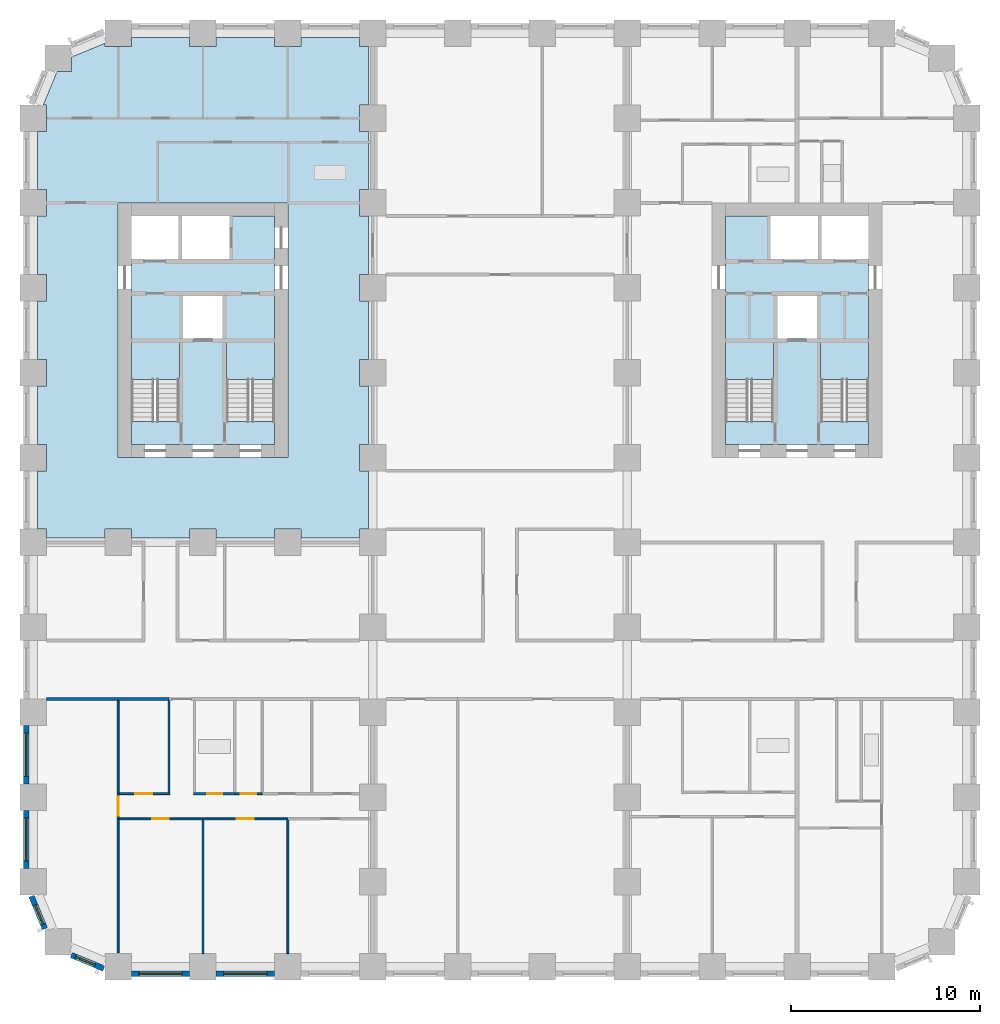
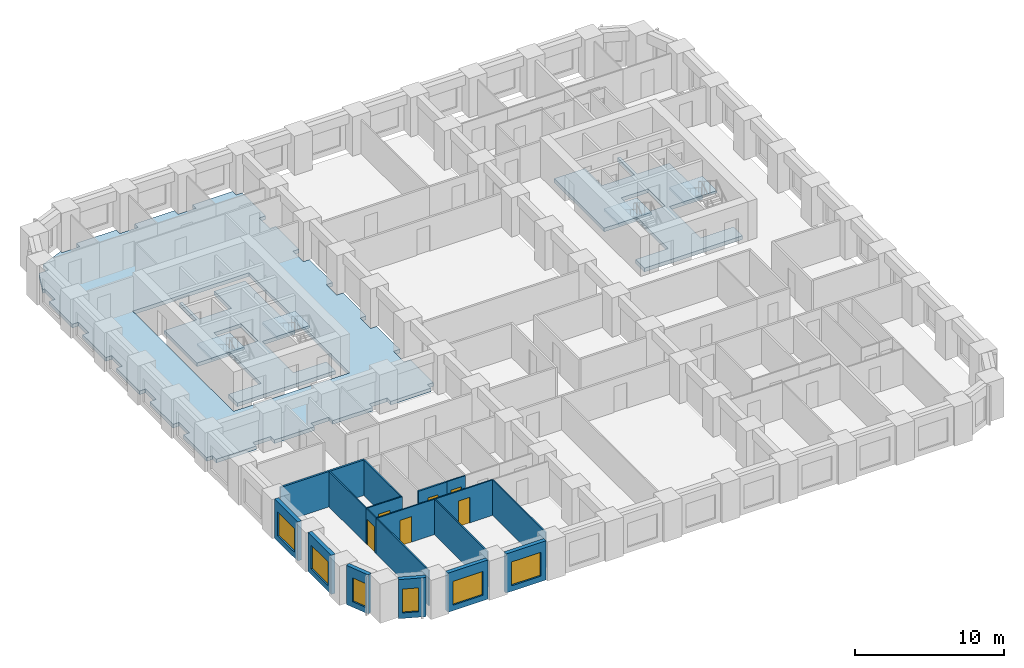
# One storey, part 2 of 12: 18 walls, 7 slabs, 6 doors, 6 windows, 12 openings, 4 elements without a shape of their own.
"""IFC4 building model written with IfcOpenShell, lengths in metres."""

from ifc_helpers import new_model, si_unit, direction, frame, frame_2d, origin, place, context, subcontext, project, spatial, polyline, rectangle, outline, extrude, material, layer, layer_set, type_object, element, fill, aggregate, save


model = new_model("IFC4")

# Units and contexts
model_context = context("Model", 3, precision=1e-05, world=origin(), true_north=direction((0.0, 1.0)))
body_context = subcontext(model_context, "Body", "Model", "MODEL_VIEW")
ifc_project = project(units=[si_unit("LENGTHUNIT", "METRE"), si_unit("AREAUNIT", "SQUARE_METRE"), si_unit("VOLUMEUNIT", "CUBIC_METRE"), si_unit("PLANEANGLEUNIT", "RADIAN"), si_unit("MASSUNIT", "GRAM", prefix="KILO")], contexts=[model_context])

# Site, building, storey
site_placement = place(None, origin())
site = spatial("IfcSite", under=ifc_project, at=site_placement, CompositionType="ELEMENT")
building_placement = place(site_placement, origin())
building = spatial("IfcBuilding", under=site, at=building_placement, Name="Girih Gate Residences", CompositionType="ELEMENT")
storey_placement = place(building_placement, frame((0.0, 0.0, 62.39990234375)))
storey = spatial("IfcBuildingStorey", under=building, at=storey_placement, Name="L16", CompositionType="ELEMENT", Elevation=62.39990234375)

# Slabs
ifc_material_1 = material(Name="Concrete C40/50", Category="concrete")
ifc_layer_1 = layer(ifc_material_1, 0.300048828125)
ifc_layer_set_1 = layer_set([ifc_layer_1], Name="Core floor slab 300")
slab_type_1 = type_object("IfcSlabType", Name="Core floor slab 300", PredefinedType="FLOOR", material=ifc_layer_set_1)
slab_1_placement = place(storey_placement, frame((0.0, 0.0, -0.2998046875)))
element("IfcSlab", 1, at=slab_1_placement, inside=storey, type_object=slab_type_1, Name="L16 W core floor", PredefinedType="FLOOR", context=body_context, shape_type="SweptSolid", body=[
    extrude(outline(polyline([(12.800048828125, 27.699951171875), (5.199951171875, 27.699951171875), (5.199951171875, 28.900634765625), (7.75, 28.900634765625), (7.75, 33.10009765625), (5.199951171875, 33.10009765625), (5.199951171875, 37.5), (7.699951171875, 37.5), (7.699951171875, 39.800048828125), (7.89990234375, 39.800048828125), (7.89990234375, 37.5), (10.39990234375, 37.5), (10.39990234375, 39.800048828125), (12.800048828125, 39.800048828125), (12.800048828125, 33.10009765625), (10.25, 33.10009765625), (10.25, 28.900634765625), (12.800048828125, 28.900634765625), (12.800048828125, 27.699951171875)]), holes=[polyline([(7.949951171875, 33.300048828125), (10.050048828125, 33.300048828125), (10.050048828125, 35.60009765625), (7.949951171875, 35.60009765625), (7.949951171875, 33.300048828125)])]), origin(), (0.0, 0.0, 1.0), 0.2998046875),
])
slab_2_placement = place(storey_placement, frame((0.0, 0.0, -0.2998046875)))
element("IfcSlab", 2, at=slab_2_placement, inside=storey, type_object=slab_type_1, Name="L16 E core floor", PredefinedType="FLOOR", context=body_context, shape_type="SweptSolid", body=[
    extrude(outline(polyline([(44.300048828125, 27.699951171875), (36.699951171875, 27.699951171875), (36.699951171875, 28.900634765625), (39.25, 28.900634765625), (39.25, 33.10009765625), (36.699951171875, 33.10009765625), (36.699951171875, 39.800048828125), (39.10009765625, 39.800048828125), (39.10009765625, 37.5), (41.60009765625, 37.5), (41.60009765625, 39.800048828125), (41.800048828125, 39.800048828125), (41.800048828125, 37.5), (44.300048828125, 37.5), (44.300048828125, 33.10009765625), (41.75, 33.10009765625), (41.75, 28.900634765625), (44.300048828125, 28.900634765625), (44.300048828125, 27.699951171875)]), holes=[polyline([(39.449951171875, 33.300048828125), (41.550048828125, 33.300048828125), (41.550048828125, 35.60009765625), (39.449951171875, 35.60009765625), (39.449951171875, 33.300048828125)])]), origin(), (0.0, 0.0, 1.0), 0.2998046875),
])
ifc_layer_2 = layer(ifc_material_1, 0.300048828125)
ifc_layer_set_2 = layer_set([ifc_layer_2], Name="Floor slab PT 300 Concrete C40/50")
slab_type_2 = type_object("IfcSlabType", Name="Floor slab PT 300 Concrete C40/50", PredefinedType="FLOOR", material=ifc_layer_set_2)
slab_3_placement = place(storey_placement, frame((0.0, 0.0, -0.2998046875)))
element("IfcSlab", 3, at=slab_3_placement, inside=storey, type_object=slab_type_2, Name="Floor slab L16 3", PredefinedType="FLOOR", context=body_context, shape_type="SweptSolid", body=[
    extrude(outline(polyline([(0.22509765625, 26.300048828125), (0.22509765625, 23.199951171875), (0.699951171875, 23.199951171875), (0.699951171875, 22.72509765625), (3.800048828125, 22.72509765625), (3.800048828125, 23.199951171875), (5.199951171875, 23.199951171875), (5.199951171875, 22.72509765625), (8.300048828125, 22.72509765625), (8.300048828125, 23.199951171875), (9.699951171875, 23.199951171875), (9.699951171875, 22.72509765625), (12.800048828125, 22.72509765625), (12.800048828125, 23.199951171875), (14.199951171875, 23.199951171875), (14.199951171875, 22.72509765625), (17.300048828125, 22.72509765625), (17.300048828125, 23.199951171875), (17.77490234375, 23.199951171875), (17.77490234375, 26.300048828125), (17.300048828125, 26.300048828125), (17.300048828125, 27.699951171875), (17.77490234375, 27.699951171875), (17.77490234375, 30.800048828125), (17.300048828125, 30.800048828125), (17.300048828125, 32.199951171875), (17.77490234375, 32.199951171875), (17.77490234375, 35.300048828125), (17.300048828125, 35.300048828125), (17.300048828125, 36.699951171875), (17.77490234375, 36.699951171875), (17.77490234375, 39.800048828125), (17.300048828125, 39.800048828125), (17.300048828125, 41.199951171875), (17.77490234375, 41.199951171875), (17.77490234375, 44.300048828125), (17.300048828125, 44.300048828125), (17.300048828125, 45.699951171875), (17.77490234375, 45.699951171875), (17.77490234375, 48.800048828125), (17.300048828125, 48.800048828125), (17.300048828125, 49.27490234375), (14.199951171875, 49.27490234375), (14.199951171875, 48.800048828125), (12.800048828125, 48.800048828125), (12.800048828125, 49.27490234375), (9.699951171875, 49.27490234375), (9.699951171875, 48.800048828125), (8.300048828125, 48.800048828125), (8.300048828125, 49.27490234375), (5.199951171875, 49.27490234375), (5.199951171875, 48.800048828125), (3.800048828125, 48.800048828125), (3.800048828125, 48.966552734375), (2.01806640625, 48.228271484375), (2.01806640625, 47.48193359375), (1.271728515625, 47.48193359375), (0.533447265625, 45.699951171875), (0.699951171875, 45.699951171875), (0.699951171875, 44.300048828125), (0.22509765625, 44.300048828125), (0.22509765625, 41.199951171875), (0.699951171875, 41.199951171875), (0.699951171875, 39.800048828125), (0.22509765625, 39.800048828125), (0.22509765625, 36.699951171875), (0.699951171875, 36.699951171875), (0.699951171875, 35.300048828125), (0.22509765625, 35.300048828125), (0.22509765625, 32.199951171875), (0.699951171875, 32.199951171875), (0.699951171875, 30.800048828125), (0.22509765625, 30.800048828125), (0.22509765625, 27.699951171875), (0.699951171875, 27.699951171875), (0.699951171875, 26.300048828125), (0.22509765625, 26.300048828125)]), holes=[polyline([(13.5, 40.5), (13.5, 27.0), (4.5, 27.0), (4.5, 40.5), (13.5, 40.5)])]), origin(), (0.0, 0.0, 1.0), 0.2998046875),
])

# Stair, slab
stair_type = type_object("IfcStairType", Name="Exit stair", PredefinedType="HALF_TURN_STAIR", material=ifc_material_1)
stair_1_placement = place(storey_placement, origin())
stair_1 = element("IfcStair", 4, at=stair_1_placement, inside=storey, type_object=stair_type, Name="L16 Exit Stair ST-W1", PredefinedType="HALF_TURN_STAIR")
ifc_layer_3 = layer(ifc_material_1, 0.199951171875)
ifc_layer_set_3 = layer_set([ifc_layer_3], Name="Stair landing 200")
slab_type_3 = type_object("IfcSlabType", Name="Stair landing 200", PredefinedType="LANDING", material=ifc_layer_set_3)
slab_4_placement = place(storey_placement, frame((0.0, 0.0, 1.400146484375)))
slab_4 = element("IfcSlab", 5, at=slab_4_placement, type_object=slab_type_3, Name="ST-W1 landing 1", PredefinedType="LANDING", context=body_context, shape_type="SweptSolid", body=[
    extrude(outline(polyline([(7.75, 31.14990234375), (7.75, 33.10009765625), (5.199951171875, 33.10009765625), (5.199951171875, 31.14990234375), (7.75, 31.14990234375)])), origin(), (0.0, 0.0, 1.0), 0.199951171875),
])
aggregate(stair_1, [slab_4])

stair_2_placement = place(storey_placement, origin())
stair_2 = element("IfcStair", 6, at=stair_2_placement, inside=storey, type_object=stair_type, Name="L16 Exit Stair ST-W2", PredefinedType="HALF_TURN_STAIR")
slab_5_placement = place(storey_placement, frame((0.0, 0.0, 1.400146484375)))
slab_5 = element("IfcSlab", 7, at=slab_5_placement, type_object=slab_type_3, Name="ST-W2 landing 1", PredefinedType="LANDING", context=body_context, shape_type="SweptSolid", body=[
    extrude(outline(polyline([(12.800048828125, 31.14990234375), (12.800048828125, 33.10009765625), (10.25, 33.10009765625), (10.25, 31.14990234375), (12.800048828125, 31.14990234375)])), origin(), (0.0, 0.0, 1.0), 0.199951171875),
])
aggregate(stair_2, [slab_5])

stair_3_placement = place(storey_placement, origin())
stair_3 = element("IfcStair", 8, at=stair_3_placement, inside=storey, type_object=stair_type, Name="L16 Exit Stair ST-E1", PredefinedType="HALF_TURN_STAIR")
slab_6_placement = place(storey_placement, frame((0.0, 0.0, 1.400146484375)))
slab_6 = element("IfcSlab", 9, at=slab_6_placement, type_object=slab_type_3, Name="ST-E1 landing 1", PredefinedType="LANDING", context=body_context, shape_type="SweptSolid", body=[
    extrude(outline(polyline([(44.300048828125, 31.14990234375), (44.300048828125, 33.10009765625), (41.75, 33.10009765625), (41.75, 31.14990234375), (44.300048828125, 31.14990234375)])), origin(), (0.0, 0.0, 1.0), 0.199951171875),
])
aggregate(stair_3, [slab_6])

stair_4_placement = place(storey_placement, origin())
stair_4 = element("IfcStair", 10, at=stair_4_placement, inside=storey, type_object=stair_type, Name="L16 Exit Stair ST-E2", PredefinedType="HALF_TURN_STAIR")
slab_7_placement = place(storey_placement, frame((0.0, 0.0, 1.400146484375)))
slab_7 = element("IfcSlab", 11, at=slab_7_placement, type_object=slab_type_3, Name="ST-E2 landing 1", PredefinedType="LANDING", context=body_context, shape_type="SweptSolid", body=[
    extrude(outline(polyline([(39.25, 31.14990234375), (39.25, 33.10009765625), (36.699951171875, 33.10009765625), (36.699951171875, 31.14990234375), (39.25, 31.14990234375)])), origin(), (0.0, 0.0, 1.0), 0.199951171875),
])
aggregate(stair_4, [slab_7])

# Walls
ifc_material_2 = material(Name="Gypsum board on steel studs", Category="steel")
ifc_layer_4 = layer(ifc_material_2, 0.14990234375)
ifc_layer_set_4 = layer_set([ifc_layer_4], Name="Compartment wall 150 mm")
wall_type_1 = type_object("IfcWallType", Name="Compartment wall 150 mm", PredefinedType="PARTITIONING", material=ifc_layer_set_4)
wall_1_placement = place(storey_placement, frame((0.699951171875, 14.199951171875, 0.0), z_axis=(0.0, 0.0, 1.0), x_axis=(1.0, 0.0, 0.0)))
element("IfcWall", 12, at=wall_1_placement, inside=storey, type_object=wall_type_1, Name="L16 partition", PredefinedType="PARTITIONING", context=body_context, shape_type="SweptSolid", body=[
    extrude(rectangle(XDim=6.5, YDim=0.14990234375, at=frame_2d((3.25, 0.0))), origin(), (0.0, 0.0, 1.0), 2.900146484375),
])
ifc_layer_5 = layer(ifc_material_2, 0.10009765625)
ifc_layer_set_5 = layer_set([ifc_layer_5], Name="Partition 100 mm")
wall_type_2 = type_object("IfcWallType", Name="Partition 100 mm", PredefinedType="PARTITIONING", material=ifc_layer_set_5)
wall_2_placement = place(storey_placement, frame((9.0, 0.699951171875, 0.0), z_axis=(0.0, 0.0, 1.0), x_axis=(0.0, 1.0, 0.0)))
element("IfcWall", 13, at=wall_2_placement, inside=storey, type_object=wall_type_2, Name="L16 partition", PredefinedType="PARTITIONING", context=body_context, shape_type="SweptSolid", body=[
    extrude(rectangle(XDim=7.090087890625, YDim=0.10009765625, at=frame_2d((3.544921875, 0.0))), origin(), (0.0, 0.0, 1.0), 2.900146484375),
])

# Wall, opening, door
wall_3_placement = place(storey_placement, frame((9.0, 7.840087890625, 0.0), z_axis=(0.0, 0.0, 1.0), x_axis=(-1.0, 0.0, 0.0)))
wall_3 = element("IfcWall", 14, at=wall_3_placement, inside=storey, type_object=wall_type_2, Name="L16 partition", PredefinedType="PARTITIONING", context=body_context, shape_type="SweptSolid", body=[
    extrude(rectangle(XDim=4.449951171875, YDim=0.10009765625, at=frame_2d((2.22509765625, 0.0))), origin(), (0.0, 0.0, 1.0), 2.900146484375),
])
opening_1_placement = place(wall_3_placement, frame((1.800048828125, 0.0, 0.0)))
opening_1 = element("IfcOpeningElement", 15, at=opening_1_placement, cuts=wall_3, Name="Opening A16-002", PredefinedType="OPENING", context=body_context, shape_type="SweptSolid", body=[
    extrude(rectangle(XDim=0.89990234375, YDim=2.10009765625, at=frame_2d((0.449951171875, 1.050048828125))), frame((0.0, 0.06005859375, 0.0), z_axis=(0.0, -1.0, 0.0), x_axis=(1.0, 0.0, 0.0)), (0.0, 0.0, 1.0), 0.1201171875),
])
ifc_material_3 = material(Name="Timber", Category="wood")
door_type_1 = type_object("IfcDoorType", Name="Bedroom door 900x2100", OperationType="NOTDEFINED", PredefinedType="DOOR", material=ifc_material_3)
door_1_placement = place(opening_1_placement, origin())
door_1 = element("IfcDoor", 16, at=door_1_placement, inside=storey, type_object=door_type_1, Name="Door A16-002", OperationType="SINGLE_SWING_RIGHT", OverallHeight=2.10009765625, OverallWidth=0.89990234375, PredefinedType="DOOR", context=body_context, shape_type="SweptSolid", body=[
    extrude(rectangle(XDim=0.89990234375, YDim=2.10009765625, at=frame_2d((0.449951171875, 1.050048828125))), frame((0.0, 0.02490234375, 0.0), z_axis=(0.0, -1.0, 0.0), x_axis=(1.0, 0.0, 0.0)), (0.0, 0.0, 1.0), 0.050048828125),
])
fill(opening_1, door_1)

# Walls
wall_4_placement = place(storey_placement, frame((4.5, 0.757568359375, 0.0), z_axis=(0.0, 0.0, 1.0), x_axis=(0.0, 1.0, 0.0)))
element("IfcWall", 17, at=wall_4_placement, inside=storey, type_object=wall_type_2, Name="L16 partition", PredefinedType="PARTITIONING", context=body_context, shape_type="SweptSolid", body=[
    extrude(rectangle(XDim=7.08251953125, YDim=0.10009765625, at=frame_2d((3.541259765625, 0.0))), origin(), (0.0, 0.0, 1.0), 2.900146484375),
])
wall_5_placement = place(storey_placement, frame((13.5, 0.699951171875, 0.0), z_axis=(0.0, 0.0, 1.0), x_axis=(0.0, 1.0, 0.0)))
element("IfcWall", 18, at=wall_5_placement, inside=storey, type_object=wall_type_2, Name="L16 partition", PredefinedType="PARTITIONING", context=body_context, shape_type="SweptSolid", body=[
    extrude(rectangle(XDim=7.090087890625, YDim=0.10009765625, at=frame_2d((3.544921875, 0.0))), origin(), (0.0, 0.0, 1.0), 2.900146484375),
])

# Wall, opening, door
wall_6_placement = place(storey_placement, frame((13.5, 7.840087890625, 0.0), z_axis=(0.0, 0.0, 1.0), x_axis=(-1.0, 0.0, 0.0)))
wall_6 = element("IfcWall", 19, at=wall_6_placement, inside=storey, type_object=wall_type_2, Name="L16 partition", PredefinedType="PARTITIONING", context=body_context, shape_type="SweptSolid", body=[
    extrude(rectangle(XDim=4.5, YDim=0.10009765625, at=frame_2d((2.25, 0.0))), origin(), (0.0, 0.0, 1.0), 2.900146484375),
])
opening_2_placement = place(wall_6_placement, frame((1.800048828125, 0.0, 0.0)))
opening_2 = element("IfcOpeningElement", 20, at=opening_2_placement, cuts=wall_6, Name="Opening A16-003", PredefinedType="OPENING", context=body_context, shape_type="SweptSolid", body=[
    extrude(rectangle(XDim=0.89990234375, YDim=2.10009765625, at=frame_2d((0.449951171875, 1.050048828125))), frame((0.0, 0.06005859375, 0.0), z_axis=(0.0, -1.0, 0.0), x_axis=(1.0, 0.0, 0.0)), (0.0, 0.0, 1.0), 0.1201171875),
])
door_2_placement = place(opening_2_placement, origin())
door_2 = element("IfcDoor", 21, at=door_2_placement, inside=storey, type_object=door_type_1, Name="Door A16-003", OperationType="SINGLE_SWING_LEFT", OverallHeight=2.10009765625, OverallWidth=0.89990234375, PredefinedType="DOOR", context=body_context, shape_type="SweptSolid", body=[
    extrude(rectangle(XDim=0.89990234375, YDim=2.10009765625, at=frame_2d((0.449951171875, 1.050048828125))), frame((0.0, 0.02490234375, 0.0), z_axis=(0.0, -1.0, 0.0), x_axis=(1.0, 0.0, 0.0)), (0.0, 0.0, 1.0), 0.050048828125),
])
fill(opening_2, door_2)

wall_7_placement = place(storey_placement, frame((4.550048828125, 9.179931640625, 0.0), z_axis=(0.0, 0.0, 1.0), x_axis=(1.0, 0.0, 0.0)))
wall_7 = element("IfcWall", 22, at=wall_7_placement, inside=storey, type_object=wall_type_2, Name="L16 partition", PredefinedType="PARTITIONING", context=body_context, shape_type="SweptSolid", body=[
    extrude(rectangle(XDim=2.699951171875, YDim=0.10009765625, at=frame_2d((1.35009765625, 0.0))), origin(), (0.0, 0.0, 1.0), 2.900146484375),
])
opening_3_placement = place(wall_7_placement, frame((0.85009765625, 0.0, 0.0)))
opening_3 = element("IfcOpeningElement", 23, at=opening_3_placement, cuts=wall_7, Name="Opening A16-006", PredefinedType="OPENING", context=body_context, shape_type="SweptSolid", body=[
    extrude(rectangle(XDim=0.89990234375, YDim=2.10009765625, at=frame_2d((0.449951171875, 1.050048828125))), frame((0.0, 0.06005859375, 0.0), z_axis=(0.0, -1.0, 0.0), x_axis=(1.0, 0.0, 0.0)), (0.0, 0.0, 1.0), 0.1201171875),
])
door_type_2 = type_object("IfcDoorType", Name="Kitchen door 900x2100", OperationType="NOTDEFINED", PredefinedType="DOOR", material=ifc_material_3)
door_3_placement = place(opening_3_placement, origin())
door_3 = element("IfcDoor", 24, at=door_3_placement, inside=storey, type_object=door_type_2, Name="Door A16-006", OperationType="SINGLE_SWING_LEFT", OverallHeight=2.10009765625, OverallWidth=0.89990234375, PredefinedType="DOOR", context=body_context, shape_type="SweptSolid", body=[
    extrude(rectangle(XDim=0.89990234375, YDim=2.10009765625, at=frame_2d((0.449951171875, 1.050048828125))), frame((0.0, 0.02490234375, 0.0), z_axis=(0.0, -1.0, 0.0), x_axis=(1.0, 0.0, 0.0)), (0.0, 0.0, 1.0), 0.050048828125),
])
fill(opening_3, door_3)

# Wall
wall_8_placement = place(storey_placement, frame((7.199951171875, 9.22998046875, 0.0), z_axis=(0.0, 0.0, 1.0), x_axis=(0.0, 1.0, 0.0)))
element("IfcWall", 25, at=wall_8_placement, inside=storey, type_object=wall_type_2, Name="L16 partition", PredefinedType="PARTITIONING", context=body_context, shape_type="SweptSolid", body=[
    extrude(rectangle(XDim=4.89501953125, YDim=0.10009765625, at=frame_2d((2.447509765625, 0.0))), origin(), (0.0, 0.0, 1.0), 2.900146484375),
])

# Wall, opening, door
wall_9_placement = place(storey_placement, frame((4.5, 7.840087890625, 0.0), z_axis=(0.0, 0.0, 1.0), x_axis=(0.0, 1.0, 0.0)))
wall_9 = element("IfcWall", 26, at=wall_9_placement, inside=storey, type_object=wall_type_2, Name="L16 partition", PredefinedType="PARTITIONING", context=body_context, shape_type="SweptSolid", body=[
    extrude(rectangle(XDim=1.33984375, YDim=0.10009765625, at=frame_2d((0.669921875, 0.0))), origin(), (0.0, 0.0, 1.0), 2.900146484375),
])
opening_4_placement = place(wall_9_placement, frame((0.169921875, 0.0, 0.0)))
opening_4 = element("IfcOpeningElement", 27, at=opening_4_placement, cuts=wall_9, Name="Opening A16-007", PredefinedType="OPENING", context=body_context, shape_type="SweptSolid", body=[
    extrude(rectangle(XDim=1.0, YDim=2.10009765625, at=frame_2d((0.5, 1.050048828125))), frame((0.0, 0.06005859375, 0.0), z_axis=(0.0, -1.0, 0.0), x_axis=(1.0, 0.0, 0.0)), (0.0, 0.0, 1.0), 0.1201171875),
])
door_type_3 = type_object("IfcDoorType", Name="Living room door 1000x2100", OperationType="NOTDEFINED", PredefinedType="DOOR", material=ifc_material_3)
door_4_placement = place(opening_4_placement, origin())
door_4 = element("IfcDoor", 28, at=door_4_placement, inside=storey, type_object=door_type_3, Name="Door A16-007", OperationType="SINGLE_SWING_RIGHT", OverallHeight=2.10009765625, OverallWidth=1.0, PredefinedType="DOOR", context=body_context, shape_type="SweptSolid", body=[
    extrude(rectangle(XDim=1.0, YDim=2.10009765625, at=frame_2d((0.5, 1.050048828125))), frame((0.0, 0.02490234375, 0.0), z_axis=(0.0, -1.0, 0.0), x_axis=(1.0, 0.0, 0.0)), (0.0, 0.0, 1.0), 0.050048828125),
])
fill(opening_4, door_4)

wall_10_placement = place(storey_placement, frame((10.68359375, 9.179931640625, 0.0), z_axis=(0.0, 0.0, 1.0), x_axis=(1.0, 0.0, 0.0)))
wall_10 = element("IfcWall", 29, at=wall_10_placement, inside=storey, type_object=wall_type_2, Name="L16 partition", PredefinedType="PARTITIONING", context=body_context, shape_type="SweptSolid", body=[
    extrude(rectangle(XDim=1.459716796875, YDim=0.10009765625, at=frame_2d((0.72998046875, 0.0))), origin(), (0.0, 0.0, 1.0), 2.900146484375),
])
opening_5_placement = place(wall_10_placement, frame((0.329833984375, 0.0, 0.0)))
opening_5 = element("IfcOpeningElement", 30, at=opening_5_placement, cuts=wall_10, Name="Opening A16-008", PredefinedType="OPENING", context=body_context, shape_type="SweptSolid", body=[
    extrude(rectangle(XDim=0.800048828125, YDim=2.10009765625, at=frame_2d((0.39990234375, 1.050048828125))), frame((0.0, 0.06005859375, 0.0), z_axis=(0.0, -1.0, 0.0), x_axis=(1.0, 0.0, 0.0)), (0.0, 0.0, 1.0), 0.1201171875),
])
door_type_4 = type_object("IfcDoorType", Name="Store door 800x2100", OperationType="NOTDEFINED", PredefinedType="DOOR", material=ifc_material_3)
door_5_placement = place(opening_5_placement, origin())
door_5 = element("IfcDoor", 31, at=door_5_placement, inside=storey, type_object=door_type_4, Name="Door A16-008", OperationType="SINGLE_SWING_LEFT", OverallHeight=2.10009765625, OverallWidth=0.800048828125, PredefinedType="DOOR", context=body_context, shape_type="SweptSolid", body=[
    extrude(rectangle(XDim=0.800048828125, YDim=2.10009765625, at=frame_2d((0.39990234375, 1.050048828125))), frame((0.0, 0.02490234375, 0.0), z_axis=(0.0, -1.0, 0.0), x_axis=(1.0, 0.0, 0.0)), (0.0, 0.0, 1.0), 0.050048828125),
])
fill(opening_5, door_5)

# Wall
wall_11_placement = place(storey_placement, frame((4.5, 9.179931640625, 0.0), z_axis=(0.0, 0.0, 1.0), x_axis=(0.0, 1.0, 0.0)))
element("IfcWall", 32, at=wall_11_placement, inside=storey, type_object=wall_type_2, Name="L16 partition", PredefinedType="PARTITIONING", context=body_context, shape_type="SweptSolid", body=[
    extrude(rectangle(XDim=4.945068359375, YDim=0.10009765625, at=frame_2d((2.47265625, 0.0))), origin(), (0.0, 0.0, 1.0), 2.900146484375),
])

# Wall, opening, window
ifc_material_4 = material(Name="Precast concrete C50/60", Category="concrete")
ifc_layer_6 = layer(ifc_material_4, 0.080078125, Name="Outer leaf")
ifc_material_5 = material(Name="Rigid PIR insulation")
ifc_layer_7 = layer(ifc_material_5, 0.14990234375, Name="Insulation")
ifc_material_6 = material(Name="Precast concrete C40/50", Category="concrete")
ifc_layer_8 = layer(ifc_material_6, 0.070068359375, Name="Inner leaf")
ifc_layer_set_6 = layer_set([ifc_layer_6, ifc_layer_7, ifc_layer_8], Name="Precast concrete C50/60 external wall 300")
wall_type_3 = type_object("IfcWallType", Name="Precast concrete C50/60 external wall 300", PredefinedType="SOLIDWALL", material=ifc_layer_set_6)
wall_12_placement = place(storey_placement, frame((0.62158203125, 2.01953125, 0.0), z_axis=(0.0, 0.0, 1.0), x_axis=(-0.38262540684, 0.923903565336, 0.0)))
wall_12 = element("IfcWall", 33, at=wall_12_placement, inside=storey, type_object=wall_type_3, Name="External wall SW0000_0045.0", PredefinedType="SOLIDWALL", context=body_context, shape_type="SweptSolid", body=[
    extrude(rectangle(XDim=1.864990234375, YDim=0.300048828125, at=frame_2d((0.9326171875, 0.0))), origin(), (0.0, 0.0, 1.0), 3.2001953125),
])
opening_6_placement = place(wall_12_placement, frame((0.257568359375, 0.0, 0.449951171875)))
opening_6 = element("IfcOpeningElement", 34, at=opening_6_placement, cuts=wall_12, Name="Opening W-2C", PredefinedType="OPENING", context=body_context, shape_type="SweptSolid", body=[
    extrude(rectangle(XDim=1.10009765625, YDim=1.949951171875, at=frame_2d((0.550048828125, 0.97509765625))), frame((0.0, 0.159912109375, 0.0), z_axis=(0.0, -1.0, 0.0), x_axis=(1.0, 0.0, 0.0)), (0.0, 0.0, 1.0), 0.320068359375),
])
ifc_material_7 = material(Name="Double glazing in aluminium frame", Category="aluminium")
window_type_1 = type_object("IfcWindowType", Name="Window W-2C 1100x1950", PartitioningType="SINGLE_PANEL", PredefinedType="WINDOW", material=ifc_material_7)
window_1_placement = place(opening_6_placement, origin())
window_1 = element("IfcWindow", 35, at=window_1_placement, inside=storey, type_object=window_type_1, Name="Window W-2C SW0000_0045.0", OverallHeight=1.949951171875, OverallWidth=1.10009765625, PartitioningType="SINGLE_PANEL", PredefinedType="WINDOW", context=body_context, shape_type="SweptSolid", body=[
    extrude(rectangle(XDim=1.10009765625, YDim=1.949951171875, at=frame_2d((0.550048828125, 0.97509765625))), frame((0.0, 0.030029296875, 0.0), z_axis=(0.0, -1.0, 0.0), x_axis=(1.0, 0.0, 0.0)), (0.0, 0.0, 1.0), 0.06005859375),
])
fill(opening_6, window_1)

wall_13_placement = place(storey_placement, frame((3.74267578125, -0.09228515625, 0.0), z_axis=(0.0, 0.0, 1.0), x_axis=(-0.923857286003, 0.382737135771, 0.0)))
wall_13 = element("IfcWall", 36, at=wall_13_placement, inside=storey, type_object=wall_type_3, Name="External wall SW0013_0013.0", PredefinedType="SOLIDWALL", context=body_context, shape_type="SweptSolid", body=[
    extrude(rectangle(XDim=1.865234375, YDim=0.300048828125, at=frame_2d((0.9326171875, 0.0))), origin(), (0.0, 0.0, 1.0), 3.2001953125),
])
opening_7_placement = place(wall_13_placement, frame((0.507568359375, 0.0, 0.449951171875)))
opening_7 = element("IfcOpeningElement", 37, at=opening_7_placement, cuts=wall_13, Name="Opening W-2C", PredefinedType="OPENING", context=body_context, shape_type="SweptSolid", body=[
    extrude(rectangle(XDim=1.10009765625, YDim=1.949951171875, at=frame_2d((0.550048828125, 0.97509765625))), frame((0.0, 0.159912109375, 0.0), z_axis=(0.0, -1.0, 0.0), x_axis=(1.0, 0.0, 0.0)), (0.0, 0.0, 1.0), 0.320068359375),
])
window_2_placement = place(opening_7_placement, origin())
window_2 = element("IfcWindow", 38, at=window_2_placement, inside=storey, type_object=window_type_1, Name="Window W-2C SW0013_0013.0", OverallHeight=1.949951171875, OverallWidth=1.10009765625, PartitioningType="SINGLE_PANEL", PredefinedType="WINDOW", context=body_context, shape_type="SweptSolid", body=[
    extrude(rectangle(XDim=1.10009765625, YDim=1.949951171875, at=frame_2d((0.550048828125, 0.97509765625))), frame((0.0, 0.030029296875, 0.0), z_axis=(0.0, -1.0, 0.0), x_axis=(1.0, 0.0, 0.0)), (0.0, 0.0, 1.0), 0.06005859375),
])
fill(opening_7, window_2)

wall_14_placement = place(storey_placement, frame((8.300048828125, -0.375, 0.0), z_axis=(0.0, 0.0, 1.0), x_axis=(-1.0, 0.0, 0.0)))
wall_14 = element("IfcWall", 39, at=wall_14_placement, inside=storey, type_object=wall_type_3, Name="External wall S0045_0000.0", PredefinedType="SOLIDWALL", context=body_context, shape_type="SweptSolid", body=[
    extrude(rectangle(XDim=3.10009765625, YDim=0.300048828125, at=frame_2d((1.550048828125, 0.0))), origin(), (0.0, 0.0, 1.0), 3.2001953125),
])
opening_8_placement = place(wall_14_placement, frame((0.39990234375, 0.0, 0.449951171875)))
opening_8 = element("IfcOpeningElement", 40, at=opening_8_placement, cuts=wall_14, Name="Opening W-1", PredefinedType="OPENING", context=body_context, shape_type="SweptSolid", body=[
    extrude(rectangle(XDim=2.300048828125, YDim=1.949951171875, at=frame_2d((1.14990234375, 0.97509765625))), frame((0.0, 0.159912109375, 0.0), z_axis=(0.0, -1.0, 0.0), x_axis=(1.0, 0.0, 0.0)), (0.0, 0.0, 1.0), 0.320068359375),
])
window_type_2 = type_object("IfcWindowType", Name="Window W-1 2300x1950", PartitioningType="SINGLE_PANEL", PredefinedType="WINDOW", material=ifc_material_7)
window_3_placement = place(opening_8_placement, origin())
window_3 = element("IfcWindow", 41, at=window_3_placement, inside=storey, type_object=window_type_2, Name="Window W-1 S0045_0000.0", OverallHeight=1.949951171875, OverallWidth=2.300048828125, PartitioningType="SINGLE_PANEL", PredefinedType="WINDOW", context=body_context, shape_type="SweptSolid", body=[
    extrude(rectangle(XDim=2.300048828125, YDim=1.949951171875, at=frame_2d((1.14990234375, 0.97509765625))), frame((0.0, 0.030029296875, 0.0), z_axis=(0.0, -1.0, 0.0), x_axis=(1.0, 0.0, 0.0)), (0.0, 0.0, 1.0), 0.06005859375),
])
fill(opening_8, window_3)

wall_15_placement = place(storey_placement, frame((12.800048828125, -0.375, 0.0), z_axis=(0.0, 0.0, 1.0), x_axis=(-1.0, 0.0, 0.0)))
wall_15 = element("IfcWall", 42, at=wall_15_placement, inside=storey, type_object=wall_type_3, Name="External wall S0045_0000.1", PredefinedType="SOLIDWALL", context=body_context, shape_type="SweptSolid", body=[
    extrude(rectangle(XDim=3.10009765625, YDim=0.300048828125, at=frame_2d((1.550048828125, 0.0))), origin(), (0.0, 0.0, 1.0), 3.2001953125),
])
opening_9_placement = place(wall_15_placement, frame((0.39990234375, 0.0, 0.449951171875)))
opening_9 = element("IfcOpeningElement", 43, at=opening_9_placement, cuts=wall_15, Name="Opening W-1", PredefinedType="OPENING", context=body_context, shape_type="SweptSolid", body=[
    extrude(rectangle(XDim=2.300048828125, YDim=1.949951171875, at=frame_2d((1.14990234375, 0.97509765625))), frame((0.0, 0.159912109375, 0.0), z_axis=(0.0, -1.0, 0.0), x_axis=(1.0, 0.0, 0.0)), (0.0, 0.0, 1.0), 0.320068359375),
])
window_4_placement = place(opening_9_placement, origin())
window_4 = element("IfcWindow", 44, at=window_4_placement, inside=storey, type_object=window_type_2, Name="Window W-1 S0045_0000.1", OverallHeight=1.949951171875, OverallWidth=2.300048828125, PartitioningType="SINGLE_PANEL", PredefinedType="WINDOW", context=body_context, shape_type="SweptSolid", body=[
    extrude(rectangle(XDim=2.300048828125, YDim=1.949951171875, at=frame_2d((1.14990234375, 0.97509765625))), frame((0.0, 0.030029296875, 0.0), z_axis=(0.0, -1.0, 0.0), x_axis=(1.0, 0.0, 0.0)), (0.0, 0.0, 1.0), 0.06005859375),
])
fill(opening_9, window_4)

wall_16_placement = place(storey_placement, frame((-0.375, 9.699951171875, 0.0), z_axis=(0.0, 0.0, 1.0), x_axis=(0.0, 1.0, 0.0)))
wall_16 = element("IfcWall", 45, at=wall_16_placement, inside=storey, type_object=wall_type_3, Name="External wall W0000_0450.7", PredefinedType="SOLIDWALL", context=body_context, shape_type="SweptSolid", body=[
    extrude(rectangle(XDim=3.10009765625, YDim=0.300048828125, at=frame_2d((1.550048828125, 0.0))), origin(), (0.0, 0.0, 1.0), 3.2001953125),
])
opening_10_placement = place(wall_16_placement, frame((0.39990234375, 0.0, 0.449951171875)))
opening_10 = element("IfcOpeningElement", 46, at=opening_10_placement, cuts=wall_16, Name="Opening W-1", PredefinedType="OPENING", context=body_context, shape_type="SweptSolid", body=[
    extrude(rectangle(XDim=2.300048828125, YDim=1.949951171875, at=frame_2d((1.14990234375, 0.97509765625))), frame((0.0, 0.159912109375, 0.0), z_axis=(0.0, -1.0, 0.0), x_axis=(1.0, 0.0, 0.0)), (0.0, 0.0, 1.0), 0.320068359375),
])
window_5_placement = place(opening_10_placement, origin())
window_5 = element("IfcWindow", 47, at=window_5_placement, inside=storey, type_object=window_type_2, Name="Window W-1 W0000_0450.7", OverallHeight=1.949951171875, OverallWidth=2.300048828125, PartitioningType="SINGLE_PANEL", PredefinedType="WINDOW", context=body_context, shape_type="SweptSolid", body=[
    extrude(rectangle(XDim=2.300048828125, YDim=1.949951171875, at=frame_2d((1.14990234375, 0.97509765625))), frame((0.0, 0.030029296875, 0.0), z_axis=(0.0, -1.0, 0.0), x_axis=(1.0, 0.0, 0.0)), (0.0, 0.0, 1.0), 0.06005859375),
])
fill(opening_10, window_5)

wall_17_placement = place(storey_placement, frame((-0.375, 5.199951171875, 0.0), z_axis=(0.0, 0.0, 1.0), x_axis=(0.0, 1.0, 0.0)))
wall_17 = element("IfcWall", 48, at=wall_17_placement, inside=storey, type_object=wall_type_3, Name="External wall W0000_0450.8", PredefinedType="SOLIDWALL", context=body_context, shape_type="SweptSolid", body=[
    extrude(rectangle(XDim=3.10009765625, YDim=0.300048828125, at=frame_2d((1.550048828125, 0.0))), origin(), (0.0, 0.0, 1.0), 3.2001953125),
])
opening_11_placement = place(wall_17_placement, frame((0.39990234375, 0.0, 0.449951171875)))
opening_11 = element("IfcOpeningElement", 49, at=opening_11_placement, cuts=wall_17, Name="Opening W-1", PredefinedType="OPENING", context=body_context, shape_type="SweptSolid", body=[
    extrude(rectangle(XDim=2.300048828125, YDim=1.949951171875, at=frame_2d((1.14990234375, 0.97509765625))), frame((0.0, 0.159912109375, 0.0), z_axis=(0.0, -1.0, 0.0), x_axis=(1.0, 0.0, 0.0)), (0.0, 0.0, 1.0), 0.320068359375),
])
window_6_placement = place(opening_11_placement, origin())
window_6 = element("IfcWindow", 50, at=window_6_placement, inside=storey, type_object=window_type_2, Name="Window W-1 W0000_0450.8", OverallHeight=1.949951171875, OverallWidth=2.300048828125, PartitioningType="SINGLE_PANEL", PredefinedType="WINDOW", context=body_context, shape_type="SweptSolid", body=[
    extrude(rectangle(XDim=2.300048828125, YDim=1.949951171875, at=frame_2d((1.14990234375, 0.97509765625))), frame((0.0, 0.030029296875, 0.0), z_axis=(0.0, -1.0, 0.0), x_axis=(1.0, 0.0, 0.0)), (0.0, 0.0, 1.0), 0.06005859375),
])
fill(opening_11, window_6)

# Wall, opening, door
ifc_layer_9 = layer(ifc_material_2, 0.125)
ifc_layer_set_7 = layer_set([ifc_layer_9], Name="Wet room wall 125 mm")
wall_type_4 = type_object("IfcWallType", Name="Wet room wall 125 mm", PredefinedType="PARTITIONING", material=ifc_layer_set_7)
wall_18_placement = place(storey_placement, frame((8.487548828125, 9.179931640625, 0.0), z_axis=(0.0, 0.0, 1.0), x_axis=(1.0, 0.0, 0.0)))
wall_18 = element("IfcWall", 51, at=wall_18_placement, inside=storey, type_object=wall_type_4, Name="L16 partition", PredefinedType="PARTITIONING", context=body_context, shape_type="SweptSolid", body=[
    extrude(rectangle(XDim=2.196044921875, YDim=0.125, at=frame_2d((1.09814453125, 0.0))), origin(), (0.0, 0.0, 1.0), 2.900146484375),
])
opening_12_placement = place(wall_18_placement, frame((0.729248046875, 0.0, 0.0)))
opening_12 = element("IfcOpeningElement", 52, at=opening_12_placement, cuts=wall_18, Name="Opening A16-001", PredefinedType="OPENING", context=body_context, shape_type="SweptSolid", body=[
    extrude(rectangle(XDim=0.800048828125, YDim=2.10009765625, at=frame_2d((0.39990234375, 1.050048828125))), frame((0.0, 0.072509765625, 0.0), z_axis=(0.0, -1.0, 0.0), x_axis=(1.0, 0.0, 0.0)), (0.0, 0.0, 1.0), 0.14501953125),
])
door_type_5 = type_object("IfcDoorType", Name="Bathroom door 800x2100", OperationType="NOTDEFINED", PredefinedType="DOOR", material=ifc_material_3)
door_6_placement = place(opening_12_placement, origin())
door_6 = element("IfcDoor", 53, at=door_6_placement, inside=storey, type_object=door_type_5, Name="Door A16-001", OperationType="SINGLE_SWING_RIGHT", OverallHeight=2.10009765625, OverallWidth=0.800048828125, PredefinedType="DOOR", context=body_context, shape_type="SweptSolid", body=[
    extrude(rectangle(XDim=0.800048828125, YDim=2.10009765625, at=frame_2d((0.39990234375, 1.050048828125))), frame((0.0, 0.02490234375, 0.0), z_axis=(0.0, -1.0, 0.0), x_axis=(1.0, 0.0, 0.0)), (0.0, 0.0, 1.0), 0.050048828125),
])
fill(opening_12, door_6)

save(model, "model.ifc")
